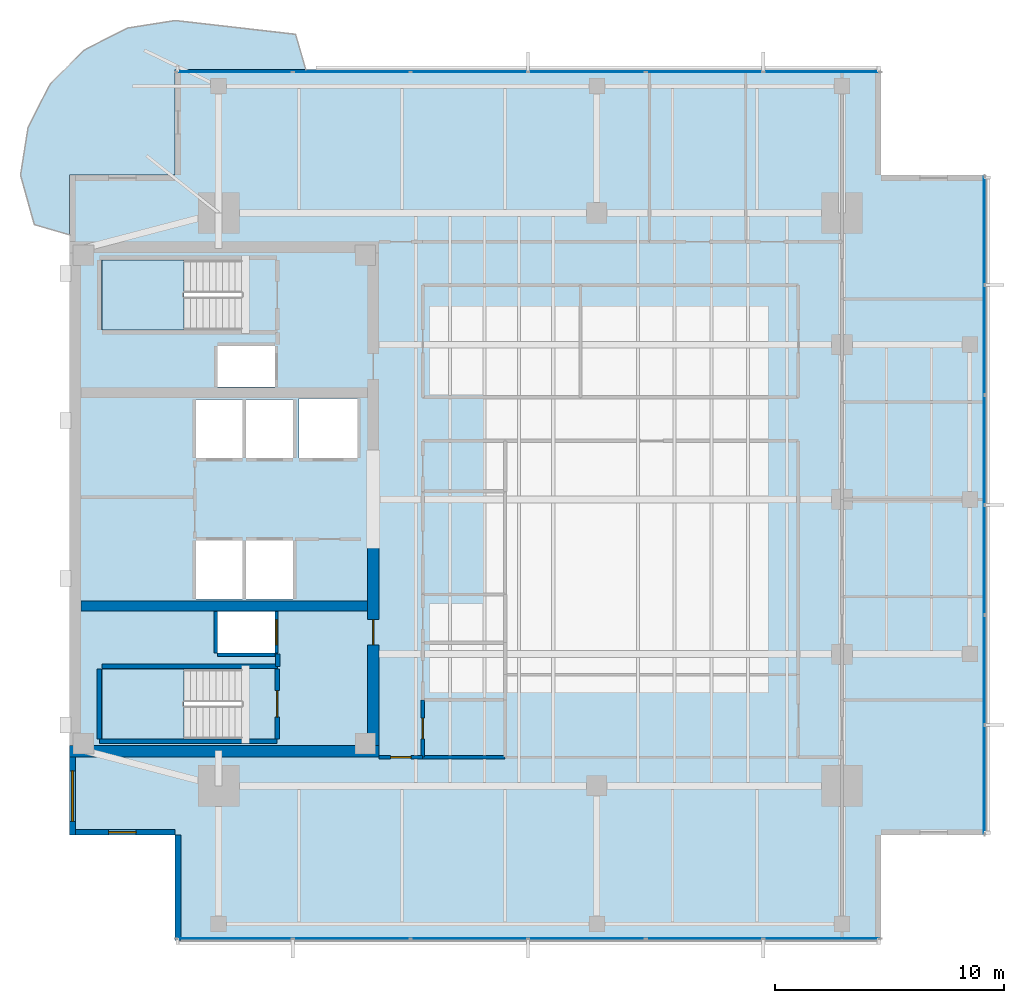
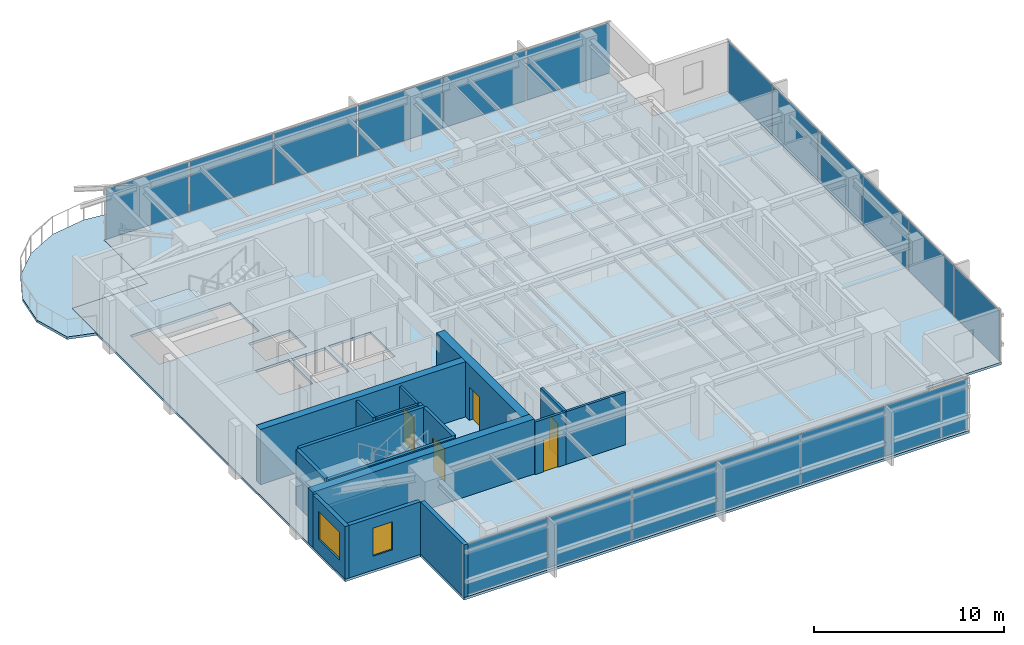
# One storey, part 7 of 14: 18 plates, 17 walls, 5 doors, 4 slabs, 2 windows, 7 openings, 5 elements without a shape of their own.
"""IFC4 building model written with IfcOpenShell, lengths in metres."""

from ifc_helpers import new_model, si_unit, direction, frame, frame_2d, origin, origin_2d, place, context, subcontext, project, spatial, polyline, rectangle, outline, extrude, material, layer, layer_set, type_object, element, fill, aggregate, save


model = new_model("IFC4")

# Units and contexts
model_context = context("Model", 3, precision=1e-05, world=origin(), true_north=direction((0.0, 1.0)))
body_context = subcontext(model_context, "Body", "Model", "MODEL_VIEW")
ifc_project = project(units=[si_unit("LENGTHUNIT", "METRE"), si_unit("AREAUNIT", "SQUARE_METRE"), si_unit("VOLUMEUNIT", "CUBIC_METRE"), si_unit("PLANEANGLEUNIT", "RADIAN"), si_unit("MASSUNIT", "GRAM", prefix="KILO")], contexts=[model_context])

# Site, building, storey
site_placement = place(None, origin())
site = spatial("IfcSite", under=ifc_project, at=site_placement, CompositionType="ELEMENT")
building_placement = place(site_placement, origin())
building = spatial("IfcBuilding", under=site, at=building_placement, Name="Kinhvarn Gate Tower", CompositionType="ELEMENT")
storey_placement = place(building_placement, frame((0.0, 0.0, 284.75)))
storey = spatial("IfcBuildingStorey", under=building, at=storey_placement, Name="L76", CompositionType="ELEMENT", Elevation=284.75)

# Curtain wall, plates
ifc_material_1 = material(Name="Anodised aluminium AW-6063", Category="aluminium")
ifc_layer_1 = layer(ifc_material_1, 0.179931640625)
ifc_layer_set_1 = layer_set([ifc_layer_1], Name="Anodised aluminium AW-6063")
curtain_wall_type = type_object("IfcCurtainWallType", Name="CW-SYS-3", PredefinedType="NOTDEFINED", material=ifc_layer_set_1)
curtain_wall_1_placement = place(storey_placement, origin())
curtain_wall_1 = element("IfcCurtainWall", 1, at=curtain_wall_1_placement, inside=storey, type_object=curtain_wall_type, Name="Curtain Wall CW3 (L76)", PredefinedType="NOTDEFINED")
ifc_material_2 = material(Name="Clear low-e double glazing", Category="glass")
ifc_layer_2 = layer(ifc_material_2, 0.031982421875)
ifc_layer_set_2 = layer_set([ifc_layer_2], Name="Clear low-e double glazing")
plate_type = type_object("IfcPlateType", Name="CW-PNL-VIS", PredefinedType="CURTAIN_PANEL", material=ifc_layer_set_2)
plate_1_placement = place(storey_placement, frame((11.682861328125, 6.090087890625, 0.070068359375), z_axis=(0.0, 0.0, 1.0), x_axis=(1.0, 0.0, 0.0)))
plate_1 = element("IfcPlate", 2, at=plate_1_placement, type_object=plate_type, Name="CW3 panel 1.1", PredefinedType="CURTAIN_PANEL", context=body_context, shape_type="SweptSolid", body=[
    extrude(rectangle(XDim=5.035888671875, YDim=0.031982421875, at=origin_2d()), origin(), (0.0, 0.0, 1.0), 3.25),
])
plate_2_placement = place(storey_placement, frame((16.800048828125, 6.090087890625, 0.070068359375), z_axis=(0.0, 0.0, 1.0), x_axis=(1.0, 0.0, 0.0)))
plate_2 = element("IfcPlate", 3, at=plate_2_placement, type_object=plate_type, Name="CW3 panel 2.1", PredefinedType="CURTAIN_PANEL", context=body_context, shape_type="SweptSolid", body=[
    extrude(rectangle(XDim=5.068359375, YDim=0.031982421875, at=origin_2d()), origin(), (0.0, 0.0, 1.0), 3.25),
])
plate_3_placement = place(storey_placement, frame((21.933349609375, 6.090087890625, 0.070068359375), z_axis=(0.0, 0.0, 1.0), x_axis=(1.0, 0.0, 0.0)))
plate_3 = element("IfcPlate", 4, at=plate_3_placement, type_object=plate_type, Name="CW3 panel 3.1", PredefinedType="CURTAIN_PANEL", context=body_context, shape_type="SweptSolid", body=[
    extrude(rectangle(XDim=5.068359375, YDim=0.031982421875, at=origin_2d()), origin(), (0.0, 0.0, 1.0), 3.25),
])
plate_4_placement = place(storey_placement, frame((27.066650390625, 6.090087890625, 0.070068359375), z_axis=(0.0, 0.0, 1.0), x_axis=(1.0, 0.0, 0.0)))
plate_4 = element("IfcPlate", 5, at=plate_4_placement, type_object=plate_type, Name="CW3 panel 4.1", PredefinedType="CURTAIN_PANEL", context=body_context, shape_type="SweptSolid", body=[
    extrude(rectangle(XDim=5.068359375, YDim=0.031982421875, at=origin_2d()), origin(), (0.0, 0.0, 1.0), 3.25),
])
plate_5_placement = place(storey_placement, frame((32.199951171875, 6.090087890625, 0.070068359375), z_axis=(0.0, 0.0, 1.0), x_axis=(1.0, 0.0, 0.0)))
plate_5 = element("IfcPlate", 6, at=plate_5_placement, type_object=plate_type, Name="CW3 panel 5.1", PredefinedType="CURTAIN_PANEL", context=body_context, shape_type="SweptSolid", body=[
    extrude(rectangle(XDim=5.068359375, YDim=0.031982421875, at=origin_2d()), origin(), (0.0, 0.0, 1.0), 3.25),
])
plate_6_placement = place(storey_placement, frame((37.317138671875, 6.090087890625, 0.070068359375), z_axis=(0.0, 0.0, 1.0), x_axis=(1.0, 0.0, 0.0)))
plate_6 = element("IfcPlate", 7, at=plate_6_placement, type_object=plate_type, Name="CW3 panel 6.1", PredefinedType="CURTAIN_PANEL", context=body_context, shape_type="SweptSolid", body=[
    extrude(rectangle(XDim=5.035888671875, YDim=0.031982421875, at=origin_2d()), origin(), (0.0, 0.0, 1.0), 3.25),
])
aggregate(curtain_wall_1, [plate_1, plate_2, plate_3, plate_4, plate_5, plate_6])

curtain_wall_2_placement = place(storey_placement, origin())
curtain_wall_2 = element("IfcCurtainWall", 8, at=curtain_wall_2_placement, inside=storey, type_object=curtain_wall_type, Name="Curtain Wall CW3 (L76)", PredefinedType="NOTDEFINED")
plate_7_placement = place(storey_placement, frame((37.317138671875, 43.909912109375, 0.070068359375), z_axis=(0.0, 0.0, 1.0), x_axis=(-1.0, 0.0, 0.0)))
plate_7 = element("IfcPlate", 9, at=plate_7_placement, type_object=plate_type, Name="CW3 panel 1.1", PredefinedType="CURTAIN_PANEL", context=body_context, shape_type="SweptSolid", body=[
    extrude(rectangle(XDim=5.035888671875, YDim=0.031982421875, at=origin_2d()), origin(), (0.0, 0.0, 1.0), 3.25),
])
plate_8_placement = place(storey_placement, frame((32.199951171875, 43.909912109375, 0.070068359375), z_axis=(0.0, 0.0, 1.0), x_axis=(-1.0, 0.0, 0.0)))
plate_8 = element("IfcPlate", 10, at=plate_8_placement, type_object=plate_type, Name="CW3 panel 2.1", PredefinedType="CURTAIN_PANEL", context=body_context, shape_type="SweptSolid", body=[
    extrude(rectangle(XDim=5.068359375, YDim=0.031982421875, at=origin_2d()), origin(), (0.0, 0.0, 1.0), 3.25),
])
plate_9_placement = place(storey_placement, frame((27.066650390625, 43.909912109375, 0.070068359375), z_axis=(0.0, 0.0, 1.0), x_axis=(-1.0, 0.0, 0.0)))
plate_9 = element("IfcPlate", 11, at=plate_9_placement, type_object=plate_type, Name="CW3 panel 3.1", PredefinedType="CURTAIN_PANEL", context=body_context, shape_type="SweptSolid", body=[
    extrude(rectangle(XDim=5.068359375, YDim=0.031982421875, at=origin_2d()), origin(), (0.0, 0.0, 1.0), 3.25),
])
plate_10_placement = place(storey_placement, frame((21.933349609375, 43.909912109375, 0.070068359375), z_axis=(0.0, 0.0, 1.0), x_axis=(-1.0, 0.0, 0.0)))
plate_10 = element("IfcPlate", 12, at=plate_10_placement, type_object=plate_type, Name="CW3 panel 4.1", PredefinedType="CURTAIN_PANEL", context=body_context, shape_type="SweptSolid", body=[
    extrude(rectangle(XDim=5.068359375, YDim=0.031982421875, at=origin_2d()), origin(), (0.0, 0.0, 1.0), 3.25),
])
plate_11_placement = place(storey_placement, frame((16.800048828125, 43.909912109375, 0.070068359375), z_axis=(0.0, 0.0, 1.0), x_axis=(-1.0, 0.0, 0.0)))
plate_11 = element("IfcPlate", 13, at=plate_11_placement, type_object=plate_type, Name="CW3 panel 5.1", PredefinedType="CURTAIN_PANEL", context=body_context, shape_type="SweptSolid", body=[
    extrude(rectangle(XDim=5.068359375, YDim=0.031982421875, at=origin_2d()), origin(), (0.0, 0.0, 1.0), 3.25),
])
plate_12_placement = place(storey_placement, frame((11.682861328125, 43.909912109375, 0.070068359375), z_axis=(0.0, 0.0, 1.0), x_axis=(-1.0, 0.0, 0.0)))
plate_12 = element("IfcPlate", 14, at=plate_12_placement, type_object=plate_type, Name="CW3 panel 6.1", PredefinedType="CURTAIN_PANEL", context=body_context, shape_type="SweptSolid", body=[
    extrude(rectangle(XDim=5.035888671875, YDim=0.031982421875, at=origin_2d()), origin(), (0.0, 0.0, 1.0), 3.25),
])
aggregate(curtain_wall_2, [plate_7, plate_8, plate_9, plate_10, plate_11, plate_12])

curtain_wall_3_placement = place(storey_placement, origin())
curtain_wall_3 = element("IfcCurtainWall", 15, at=curtain_wall_3_placement, inside=storey, type_object=curtain_wall_type, Name="Curtain Wall CW3 (L76)", PredefinedType="NOTDEFINED")
plate_13_placement = place(storey_placement, frame((44.409912109375, 13.016357421875, 0.070068359375), z_axis=(0.0, 0.0, 1.0), x_axis=(0.0, 1.0, 0.0)))
plate_13 = element("IfcPlate", 16, at=plate_13_placement, type_object=plate_type, Name="CW3 panel 1.1", PredefinedType="CURTAIN_PANEL", context=body_context, shape_type="SweptSolid", body=[
    extrude(rectangle(XDim=4.702392578125, YDim=0.031982421875, at=origin_2d()), origin(), (0.0, 0.0, 1.0), 3.25),
])
plate_14_placement = place(storey_placement, frame((44.409912109375, 17.800048828125, 0.070068359375), z_axis=(0.0, 0.0, 1.0), x_axis=(0.0, 1.0, 0.0)))
plate_14 = element("IfcPlate", 17, at=plate_14_placement, type_object=plate_type, Name="CW3 panel 2.1", PredefinedType="CURTAIN_PANEL", context=body_context, shape_type="SweptSolid", body=[
    extrude(rectangle(XDim=4.735107421875, YDim=0.031982421875, at=origin_2d()), origin(), (0.0, 0.0, 1.0), 3.25),
])
plate_15_placement = place(storey_placement, frame((44.409912109375, 22.60009765625, 0.070068359375), z_axis=(0.0, 0.0, 1.0), x_axis=(0.0, 1.0, 0.0)))
plate_15 = element("IfcPlate", 18, at=plate_15_placement, type_object=plate_type, Name="CW3 panel 3.1", PredefinedType="CURTAIN_PANEL", context=body_context, shape_type="SweptSolid", body=[
    extrude(rectangle(XDim=4.735107421875, YDim=0.031982421875, at=origin_2d()), origin(), (0.0, 0.0, 1.0), 3.25),
])
plate_16_placement = place(storey_placement, frame((44.409912109375, 27.39990234375, 0.070068359375), z_axis=(0.0, 0.0, 1.0), x_axis=(0.0, 1.0, 0.0)))
plate_16 = element("IfcPlate", 19, at=plate_16_placement, type_object=plate_type, Name="CW3 panel 4.1", PredefinedType="CURTAIN_PANEL", context=body_context, shape_type="SweptSolid", body=[
    extrude(rectangle(XDim=4.735107421875, YDim=0.031982421875, at=origin_2d()), origin(), (0.0, 0.0, 1.0), 3.25),
])
plate_17_placement = place(storey_placement, frame((44.409912109375, 32.199951171875, 0.070068359375), z_axis=(0.0, 0.0, 1.0), x_axis=(0.0, 1.0, 0.0)))
plate_17 = element("IfcPlate", 20, at=plate_17_placement, type_object=plate_type, Name="CW3 panel 5.1", PredefinedType="CURTAIN_PANEL", context=body_context, shape_type="SweptSolid", body=[
    extrude(rectangle(XDim=4.735107421875, YDim=0.031982421875, at=origin_2d()), origin(), (0.0, 0.0, 1.0), 3.25),
])
plate_18_placement = place(storey_placement, frame((44.409912109375, 36.983642578125, 0.070068359375), z_axis=(0.0, 0.0, 1.0), x_axis=(0.0, 1.0, 0.0)))
plate_18 = element("IfcPlate", 21, at=plate_18_placement, type_object=plate_type, Name="CW3 panel 6.1", PredefinedType="CURTAIN_PANEL", context=body_context, shape_type="SweptSolid", body=[
    extrude(rectangle(XDim=4.702392578125, YDim=0.031982421875, at=origin_2d()), origin(), (0.0, 0.0, 1.0), 3.25),
])
aggregate(curtain_wall_3, [plate_13, plate_14, plate_15, plate_16, plate_17, plate_18])

# Slabs
ifc_material_3 = material(Name="Precast white architectural concrete C40/50", Category="concrete")
ifc_layer_3 = layer(ifc_material_3, 0.159912109375)
ifc_layer_set_3 = layer_set([ifc_layer_3], Name="Precast white architectural concrete C40/50")
slab_type_1 = type_object("IfcSlabType", Name="SLB-BAL-160", PredefinedType="FLOOR", material=ifc_layer_set_3)
slab_1_placement = place(storey_placement, frame((0.0, 0.0, -0.159912109375)))
element("IfcSlab", 22, at=slab_1_placement, inside=storey, type_object=slab_type_1, Name="S-Carve Curved Terrace Balcony Slab L76 (NW)", PredefinedType="FLOOR", context=body_context, shape_type="SweptSolid", body=[
    extrude(outline(polyline([(14.802978515625, 44.0), (14.35302734375, 45.545166015625), (9.10009765625, 46.14599609375), (7.015380859375, 45.81591796875), (5.134765625, 44.857666015625), (3.642333984375, 43.365234375), (2.68408203125, 41.484619140625), (2.35400390625, 39.39990234375), (2.954833984375, 37.242919921875), (4.5, 36.79296875), (4.5, 39.39990234375), (9.10009765625, 39.39990234375), (9.10009765625, 44.0), (14.802978515625, 44.0)])), origin(), (0.0, 0.0, 1.0), 0.159912109375),
])
ifc_material_4 = material(Name="Concrete C40/50", Category="concrete")
ifc_layer_4 = layer(ifc_material_4, 0.159912109375)
ifc_layer_set_4 = layer_set([ifc_layer_4], Name="Concrete C40/50")
slab_type_2 = type_object("IfcSlabType", Name="SLB-FLR-160", PredefinedType="FLOOR", material=ifc_layer_set_4)
slab_2_placement = place(storey_placement, frame((0.0, 0.0, -0.159912109375)))
element("IfcSlab", 23, at=slab_2_placement, inside=storey, type_object=slab_type_2, Name="Suspended Floor Slab L76", PredefinedType="FLOOR", context=body_context, shape_type="SweptSolid", body=[
    extrude(outline(polyline([(9.10009765625, 6.0), (39.89990234375, 6.0), (39.89990234375, 10.60009765625), (44.5, 10.60009765625), (44.5, 39.39990234375), (39.89990234375, 39.39990234375), (39.89990234375, 44.0), (9.10009765625, 44.0), (9.10009765625, 39.39990234375), (4.5, 39.39990234375), (4.5, 10.60009765625), (9.10009765625, 10.60009765625), (9.10009765625, 6.0)]), holes=[polyline([(5.89990234375, 14.800048828125), (12.0, 14.800048828125), (12.0, 17.85009765625), (5.89990234375, 17.85009765625), (5.89990234375, 14.800048828125)]), polyline([(5.89990234375, 32.64990234375), (12.0, 32.64990234375), (12.0, 35.699951171875), (5.89990234375, 35.699951171875), (5.89990234375, 32.64990234375)]), polyline([(10.0, 20.89990234375), (12.050048828125, 20.89990234375), (12.050048828125, 23.449951171875), (10.0, 23.449951171875), (10.0, 20.89990234375)]), polyline([(12.199951171875, 20.89990234375), (14.25, 20.89990234375), (14.25, 23.449951171875), (12.199951171875, 23.449951171875), (12.199951171875, 20.89990234375)]), polyline([(10.0, 27.050048828125), (12.050048828125, 27.050048828125), (12.050048828125, 29.60009765625), (10.0, 29.60009765625), (10.0, 27.050048828125)]), polyline([(12.199951171875, 27.050048828125), (14.25, 27.050048828125), (14.25, 29.60009765625), (12.199951171875, 29.60009765625), (12.199951171875, 27.050048828125)]), polyline([(14.5, 27.050048828125), (17.050048828125, 27.050048828125), (17.050048828125, 29.64990234375), (14.5, 29.64990234375), (14.5, 27.050048828125)]), polyline([(10.949951171875, 18.550048828125), (13.449951171875, 18.550048828125), (13.449951171875, 20.35009765625), (10.949951171875, 20.35009765625), (10.949951171875, 18.550048828125)]), polyline([(10.949951171875, 30.14990234375), (13.449951171875, 30.14990234375), (13.449951171875, 31.949951171875), (10.949951171875, 31.949951171875), (10.949951171875, 30.14990234375)])]), origin(), (0.0, 0.0, 1.0), 0.159912109375),
])

# Stair, slab
stair_type = type_object("IfcStairType", Name="STR-DLG-178", PredefinedType="HALF_TURN_STAIR", material=ifc_material_4)
stair_1_placement = place(storey_placement, origin())
stair_1 = element("IfcStair", 24, at=stair_1_placement, inside=storey, type_object=stair_type, Name="L76 Core Smokeproof Exit Stair ST1", PredefinedType="HALF_TURN_STAIR")
ifc_layer_5 = layer(ifc_material_4, 0.199951171875)
ifc_layer_set_5 = layer_set([ifc_layer_5], Name="Concrete C40/50")
slab_type_3 = type_object("IfcSlabType", Name="SLB-ST-LND", PredefinedType="LANDING", material=ifc_layer_set_5)
slab_3_placement = place(storey_placement, frame((0.0, 0.0, 1.574951171875)))
slab_3 = element("IfcSlab", 25, at=slab_3_placement, type_object=slab_type_3, Name="ST1 landing 1", PredefinedType="LANDING", context=body_context, shape_type="SweptSolid", body=[
    extrude(outline(polyline([(9.47998046875, 17.85009765625), (5.89990234375, 17.85009765625), (5.89990234375, 14.800048828125), (9.47998046875, 14.800048828125), (9.47998046875, 17.85009765625)])), origin(), (0.0, 0.0, 1.0), 0.199951171875),
])
aggregate(stair_1, [slab_3])

stair_2_placement = place(storey_placement, origin())
stair_2 = element("IfcStair", 26, at=stair_2_placement, inside=storey, type_object=stair_type, Name="L76 Core Smokeproof Exit Stair ST2", PredefinedType="HALF_TURN_STAIR")
slab_4_placement = place(storey_placement, frame((0.0, 0.0, 1.574951171875)))
slab_4 = element("IfcSlab", 27, at=slab_4_placement, type_object=slab_type_3, Name="ST2 landing 1", PredefinedType="LANDING", context=body_context, shape_type="SweptSolid", body=[
    extrude(outline(polyline([(9.47998046875, 35.699951171875), (5.89990234375, 35.699951171875), (5.89990234375, 32.64990234375), (9.47998046875, 32.64990234375), (9.47998046875, 35.699951171875)])), origin(), (0.0, 0.0, 1.0), 0.199951171875),
])
aggregate(stair_2, [slab_4])

# Walls
ifc_material_5 = material(Name="Concrete C50/60", Category="concrete")
ifc_layer_6 = layer(ifc_material_5, 0.449951171875)
ifc_layer_set_6 = layer_set([ifc_layer_6], Name="Concrete C50/60")
wall_type_1 = type_object("IfcWallType", Name="WL-CORE-450", PredefinedType="SHEAR", material=ifc_layer_set_6)
wall_1_placement = place(storey_placement, frame((5.0, 20.60009765625, 0.0), z_axis=(0.0, 0.0, 1.0), x_axis=(1.0, 0.0, 0.0)))
element("IfcWall", 28, at=wall_1_placement, inside=storey, type_object=wall_type_1, Name="Core South Spine Shear Wall L76 450 mm", PredefinedType="SHEAR", context=body_context, shape_type="SweptSolid", body=[
    extrude(rectangle(XDim=12.5, YDim=0.449951171875, at=frame_2d((6.25, 0.0))), origin(), (0.0, 0.0, 1.0), 3.550048828125),
])
ifc_layer_7 = layer(ifc_material_5, 0.5)
ifc_layer_set_7 = layer_set([ifc_layer_7], Name="Concrete C50/60")
wall_type_2 = type_object("IfcWallType", Name="WL-CORE-500", PredefinedType="SHEAR", material=ifc_layer_set_7)
wall_2_placement = place(storey_placement, frame((4.5, 14.25, 0.0), z_axis=(0.0, 0.0, 1.0), x_axis=(1.0, 0.0, 0.0)))
element("IfcWall", 29, at=wall_2_placement, inside=storey, type_object=wall_type_2, Name="Core South Shear Wall L76 500 mm", PredefinedType="SHEAR", context=body_context, shape_type="SweptSolid", body=[
    extrude(rectangle(XDim=13.5, YDim=0.5, at=frame_2d((6.75, 0.0))), origin(), (0.0, 0.0, 1.0), 3.550048828125),
])

# Wall, opening, door
wall_3_placement = place(storey_placement, frame((17.75, 14.5, 0.0), z_axis=(0.0, 0.0, 1.0), x_axis=(0.0, 1.0, 0.0)))
wall_3 = element("IfcWall", 30, at=wall_3_placement, inside=storey, type_object=wall_type_2, Name="Core East-South Shear Pier L76 500 mm", PredefinedType="SHEAR", context=body_context, shape_type="SweptSolid", body=[
    extrude(rectangle(XDim=8.949951171875, YDim=0.5, at=frame_2d((4.47509765625, 0.0))), origin(), (0.0, 0.0, 1.0), 3.550048828125),
])
opening_1_placement = place(wall_3_placement, frame((4.39990234375, 0.0, 0.0)))
opening_1 = element("IfcOpeningElement", 31, at=opening_1_placement, cuts=wall_3, Name="Opening FD-02", PredefinedType="OPENING", context=body_context, shape_type="SweptSolid", body=[
    extrude(rectangle(XDim=1.10009765625, YDim=2.14990234375, at=frame_2d((0.550048828125, 1.074951171875))), frame((0.0, 0.260009765625, 0.0), z_axis=(0.0, -1.0, 0.0), x_axis=(1.0, 0.0, 0.0)), (0.0, 0.0, 1.0), 0.52001953125),
])
door_type_1 = type_object("IfcDoorType", Name="DR-FD-1100", OperationType="NOTDEFINED", PredefinedType="DOOR", material=ifc_material_1)
door_1_placement = place(opening_1_placement, origin())
door_1 = element("IfcDoor", 32, at=door_1_placement, inside=storey, type_object=door_type_1, Name="Firefighting Lobby Core Door (L76)", OperationType="SINGLE_SWING_RIGHT", OverallHeight=2.14990234375, OverallWidth=1.10009765625, PredefinedType="DOOR", context=body_context, shape_type="SweptSolid", body=[
    extrude(rectangle(XDim=1.10009765625, YDim=2.14990234375, at=frame_2d((0.550048828125, 1.074951171875))), frame((0.0, 0.02490234375, 0.0), z_axis=(0.0, -1.0, 0.0), x_axis=(1.0, 0.0, 0.0)), (0.0, 0.0, 1.0), 0.050048828125),
])
fill(opening_1, door_1)

# Wall, opening, window
ifc_material_6 = material(Name="Fired architectural terracotta", Category="masonry")
ifc_layer_8 = layer(ifc_material_6, 0.25)
ifc_layer_set_8 = layer_set([ifc_layer_8], Name="Fired architectural terracotta")
wall_type_3 = type_object("IfcWallType", Name="WL-EXT-250", PredefinedType="SOLIDWALL", material=ifc_layer_set_8)
wall_4_placement = place(storey_placement, frame((4.625, 14.0, 0.0), z_axis=(0.0, 0.0, 1.0), x_axis=(0.0, -1.0, 0.0)))
wall_4 = element("IfcWall", 33, at=wall_4_placement, inside=storey, type_object=wall_type_3, Name="Exterior Solidwall Wall EW-250 (L76 West-South)", PredefinedType="SOLIDWALL", context=body_context, shape_type="SweptSolid", body=[
    extrude(rectangle(XDim=3.39990234375, YDim=0.25, at=frame_2d((1.699951171875, 0.0))), origin(), (0.0, 0.0, 1.0), 3.389892578125),
])
opening_2_placement = place(wall_4_placement, frame((0.60009765625, 0.0, 0.89990234375)))
opening_2 = element("IfcOpeningElement", 34, at=opening_2_placement, cuts=wall_4, Name="Opening WN-01", PredefinedType="OPENING", context=body_context, shape_type="SweptSolid", body=[
    extrude(rectangle(XDim=2.199951171875, YDim=1.800048828125, at=frame_2d((1.10009765625, 0.89990234375))), frame((0.0, 0.135009765625, 0.0), z_axis=(0.0, -1.0, 0.0), x_axis=(1.0, 0.0, 0.0)), (0.0, 0.0, 1.0), 0.27001953125),
])
window_type_1 = type_object("IfcWindowType", Name="WIN-RIB-2200", PartitioningType="SINGLE_PANEL", PredefinedType="WINDOW", material=ifc_material_2)
window_1_placement = place(opening_2_placement, origin())
window_1 = element("IfcWindow", 35, at=window_1_placement, inside=storey, type_object=window_type_1, Name="West Flank Double-Glazed Ribbon Window 2200x1800 mm (L76)", OverallHeight=1.800048828125, OverallWidth=2.199951171875, PartitioningType="SINGLE_PANEL", PredefinedType="WINDOW", context=body_context, shape_type="SweptSolid", body=[
    extrude(rectangle(XDim=2.199951171875, YDim=1.800048828125, at=frame_2d((1.10009765625, 0.89990234375))), frame((0.0, 0.030029296875, 0.0), z_axis=(0.0, -1.0, 0.0), x_axis=(1.0, 0.0, 0.0)), (0.0, 0.0, 1.0), 0.06005859375),
])
fill(opening_2, window_1)

wall_5_placement = place(storey_placement, frame((4.5, 10.72509765625, 0.0), z_axis=(0.0, 0.0, 1.0), x_axis=(1.0, 0.0, 0.0)))
wall_5 = element("IfcWall", 36, at=wall_5_placement, inside=storey, type_object=wall_type_3, Name="Exterior Solidwall Wall EW-250 (L76 SW-Notch-1)", PredefinedType="SOLIDWALL", context=body_context, shape_type="SweptSolid", body=[
    extrude(rectangle(XDim=4.60009765625, YDim=0.25, at=frame_2d((2.300048828125, 0.0))), origin(), (0.0, 0.0, 1.0), 3.389892578125),
])
opening_3_placement = place(wall_5_placement, frame((1.699951171875, 0.0, 0.89990234375)))
opening_3 = element("IfcOpeningElement", 37, at=opening_3_placement, cuts=wall_5, Name="Opening WN-02", PredefinedType="OPENING", context=body_context, shape_type="SweptSolid", body=[
    extrude(rectangle(XDim=1.199951171875, YDim=1.800048828125, at=frame_2d((0.60009765625, 0.89990234375))), frame((0.0, 0.135009765625, 0.0), z_axis=(0.0, -1.0, 0.0), x_axis=(1.0, 0.0, 0.0)), (0.0, 0.0, 1.0), 0.27001953125),
])
window_type_2 = type_object("IfcWindowType", Name="WIN-NTC-1200", PartitioningType="SINGLE_PANEL", PredefinedType="WINDOW", material=ifc_material_2)
window_2_placement = place(opening_3_placement, origin())
window_2 = element("IfcWindow", 38, at=window_2_placement, inside=storey, type_object=window_type_2, Name="Recessed Corner Notch Punched Window 1200x1800 mm (L76)", OverallHeight=1.800048828125, OverallWidth=1.199951171875, PartitioningType="SINGLE_PANEL", PredefinedType="WINDOW", context=body_context, shape_type="SweptSolid", body=[
    extrude(rectangle(XDim=1.199951171875, YDim=1.800048828125, at=frame_2d((0.60009765625, 0.89990234375))), frame((0.0, 0.030029296875, 0.0), z_axis=(0.0, -1.0, 0.0), x_axis=(1.0, 0.0, 0.0)), (0.0, 0.0, 1.0), 0.06005859375),
])
fill(opening_3, window_2)

# Walls
wall_6_placement = place(storey_placement, frame((9.22509765625, 10.60009765625, 0.0), z_axis=(0.0, 0.0, 1.0), x_axis=(0.0, -1.0, 0.0)))
element("IfcWall", 39, at=wall_6_placement, inside=storey, type_object=wall_type_3, Name="Exterior Solidwall Wall EW-250 (L76 SW-Notch-2)", PredefinedType="SOLIDWALL", context=body_context, shape_type="SweptSolid", body=[
    extrude(rectangle(XDim=4.60009765625, YDim=0.25, at=frame_2d((2.300048828125, 0.0))), origin(), (0.0, 0.0, 1.0), 3.389892578125),
])
ifc_material_7 = material(Name="Gypsum acoustic partition board")
ifc_layer_9 = layer(ifc_material_7, 0.14990234375)
ifc_layer_set_9 = layer_set([ifc_layer_9], Name="Gypsum acoustic partition board")
wall_type_4 = type_object("IfcWallType", Name="WL-PLM-150", PredefinedType="PLUMBINGWALL", material=ifc_layer_set_9)
wall_7_placement = place(storey_placement, frame((19.89990234375, 14.0, 0.0), z_axis=(0.0, 0.0, 1.0), x_axis=(1.0, 0.0, 0.0)))
element("IfcWall", 40, at=wall_7_placement, inside=storey, type_object=wall_type_4, Name="Interior Partition PLW-150 (L76)", PredefinedType="PLUMBINGWALL", context=body_context, shape_type="SweptSolid", body=[
    extrude(rectangle(XDim=3.60009765625, YDim=0.14990234375, at=frame_2d((1.800048828125, 0.0))), origin(), (0.0, 0.0, 1.0), 3.389892578125),
])

# Wall, opening, door
ifc_layer_10 = layer(ifc_material_7, 0.14990234375)
ifc_layer_set_10 = layer_set([ifc_layer_10], Name="Gypsum acoustic partition board")
wall_type_5 = type_object("IfcWallType", Name="WL-PLM-150F", PredefinedType="PLUMBINGWALL", material=ifc_layer_set_10)
wall_8_placement = place(storey_placement, frame((19.89990234375, 14.0, 0.0), z_axis=(0.0, 0.0, 1.0), x_axis=(0.0, 1.0, 0.0)))
wall_8 = element("IfcWall", 41, at=wall_8_placement, inside=storey, type_object=wall_type_5, Name="Interior Partition PLW-150F (L76)", PredefinedType="PLUMBINGWALL", context=body_context, shape_type="SweptSolid", body=[
    extrude(rectangle(XDim=2.5, YDim=0.14990234375, at=frame_2d((1.25, 0.0))), origin(), (0.0, 0.0, 1.0), 3.389892578125),
])
opening_4_placement = place(wall_8_placement, frame((0.800048828125, 0.0, 0.0)))
opening_4 = element("IfcOpeningElement", 42, at=opening_4_placement, cuts=wall_8, Name="Opening FD-04", PredefinedType="OPENING", context=body_context, shape_type="SweptSolid", body=[
    extrude(rectangle(XDim=0.89990234375, YDim=2.10009765625, at=frame_2d((0.449951171875, 1.050048828125))), frame((0.0, 0.0849609375, 0.0), z_axis=(0.0, -1.0, 0.0), x_axis=(1.0, 0.0, 0.0)), (0.0, 0.0, 1.0), 0.169921875),
])
door_type_2 = type_object("IfcDoorType", Name="DR-FD-900", OperationType="NOTDEFINED", PredefinedType="DOOR", material=ifc_material_1)
door_2_placement = place(opening_4_placement, origin())
door_2 = element("IfcDoor", 43, at=door_2_placement, inside=storey, type_object=door_type_2, Name="Rated Riser & Service Closet Fire Door 900x2100 mm (L76)", OperationType="SINGLE_SWING_RIGHT", OverallHeight=2.10009765625, OverallWidth=0.89990234375, PredefinedType="DOOR", context=body_context, shape_type="SweptSolid", body=[
    extrude(rectangle(XDim=0.89990234375, YDim=2.10009765625, at=frame_2d((0.449951171875, 1.050048828125))), frame((0.0, 0.02490234375, 0.0), z_axis=(0.0, -1.0, 0.0), x_axis=(1.0, 0.0, 0.0)), (0.0, 0.0, 1.0), 0.050048828125),
])
fill(opening_4, door_2)

ifc_layer_11 = layer(ifc_material_7, 0.14990234375)
ifc_layer_set_11 = layer_set([ifc_layer_11], Name="Gypsum acoustic partition board")
wall_type_6 = type_object("IfcWallType", Name="WL-PRT-150F", PredefinedType="PARTITIONING", material=ifc_layer_set_11)
wall_9_placement = place(storey_placement, frame((18.0, 14.0, 0.0), z_axis=(0.0, 0.0, 1.0), x_axis=(1.0, 0.0, 0.0)))
wall_9 = element("IfcWall", 44, at=wall_9_placement, inside=storey, type_object=wall_type_6, Name="Interior Partition PW-150F (L76)", PredefinedType="PARTITIONING", context=body_context, shape_type="SweptSolid", body=[
    extrude(rectangle(XDim=1.89990234375, YDim=0.14990234375, at=frame_2d((0.949951171875, 0.0))), origin(), (0.0, 0.0, 1.0), 3.389892578125),
])
opening_5_placement = place(wall_9_placement, frame((0.5, 0.0, 0.0)))
opening_5 = element("IfcOpeningElement", 45, at=opening_5_placement, cuts=wall_9, Name="Opening ID-03", PredefinedType="OPENING", context=body_context, shape_type="SweptSolid", body=[
    extrude(rectangle(XDim=0.89990234375, YDim=2.10009765625, at=frame_2d((0.449951171875, 1.050048828125))), frame((0.0, 0.0849609375, 0.0), z_axis=(0.0, -1.0, 0.0), x_axis=(1.0, 0.0, 0.0)), (0.0, 0.0, 1.0), 0.169921875),
])
door_type_3 = type_object("IfcDoorType", Name="DR-INT-900", OperationType="NOTDEFINED", PredefinedType="DOOR", material=ifc_material_1)
door_3_placement = place(opening_5_placement, origin())
door_3 = element("IfcDoor", 46, at=door_3_placement, inside=storey, type_object=door_type_3, Name="Cellular Office & Restroom Door 900x2100 mm (L76)", OperationType="SINGLE_SWING_LEFT", OverallHeight=2.10009765625, OverallWidth=0.89990234375, PredefinedType="DOOR", context=body_context, shape_type="SweptSolid", body=[
    extrude(rectangle(XDim=0.89990234375, YDim=2.10009765625, at=frame_2d((0.449951171875, 1.050048828125))), frame((0.0, 0.02490234375, 0.0), z_axis=(0.0, -1.0, 0.0), x_axis=(1.0, 0.0, 0.0)), (0.0, 0.0, 1.0), 0.050048828125),
])
fill(opening_5, door_3)

# Walls
ifc_layer_12 = layer(ifc_material_7, 0.199951171875)
ifc_layer_set_12 = layer_set([ifc_layer_12], Name="Gypsum acoustic partition board")
wall_type_7 = type_object("IfcWallType", Name="WL-PRT-200", PredefinedType="PARTITIONING", material=ifc_layer_set_12)
wall_10_placement = place(storey_placement, frame((13.580078125, 17.9599609375, 0.0), z_axis=(0.0, 0.0, 1.0), x_axis=(0.0, 1.0, 0.0)))
element("IfcWall", 47, at=wall_10_placement, inside=storey, type_object=wall_type_7, Name="Interior Partition PW-200 (L76)", PredefinedType="PARTITIONING", context=body_context, shape_type="SweptSolid", body=[
    extrude(rectangle(XDim=0.5400390625, YDim=0.199951171875, at=frame_2d((0.27001953125, 0.0))), origin(), (0.0, 0.0, 1.0), 3.389892578125),
])
ifc_layer_13 = layer(ifc_material_7, 0.14990234375)
ifc_layer_set_13 = layer_set([ifc_layer_13], Name="Gypsum acoustic partition board")
wall_type_8 = type_object("IfcWallType", Name="WL-SHF-150", PredefinedType="PARTITIONING", material=ifc_layer_set_13)
wall_11_placement = place(storey_placement, frame((10.949951171875, 18.47509765625, 0.0), z_axis=(0.0, 0.0, 1.0), x_axis=(1.0, 0.0, 0.0)))
element("IfcWall", 48, at=wall_11_placement, inside=storey, type_object=wall_type_8, Name="Elevator FF1 Hoistway Wall S (L76)", PredefinedType="PARTITIONING", context=body_context, shape_type="SweptSolid", body=[
    extrude(rectangle(XDim=2.5, YDim=0.14990234375, at=frame_2d((1.25, 0.0))), origin(), (0.0, 0.0, 1.0), 3.389892578125),
])
wall_12_placement = place(storey_placement, frame((10.875, 18.550048828125, 0.0), z_axis=(0.0, 0.0, 1.0), x_axis=(0.0, 1.0, 0.0)))
element("IfcWall", 49, at=wall_12_placement, inside=storey, type_object=wall_type_8, Name="Elevator FF1 Hoistway Wall W (L76)", PredefinedType="PARTITIONING", context=body_context, shape_type="SweptSolid", body=[
    extrude(rectangle(XDim=1.800048828125, YDim=0.14990234375, at=frame_2d((0.89990234375, 0.0))), origin(), (0.0, 0.0, 1.0), 3.389892578125),
])

# Wall, opening, door
wall_13_placement = place(storey_placement, frame((13.52490234375, 18.550048828125, 0.0), z_axis=(0.0, 0.0, 1.0), x_axis=(0.0, 1.0, 0.0)))
wall_13 = element("IfcWall", 50, at=wall_13_placement, inside=storey, type_object=wall_type_8, Name="Elevator FF1 Landing Wall (L76)", PredefinedType="PARTITIONING", context=body_context, shape_type="SweptSolid", body=[
    extrude(rectangle(XDim=1.800048828125, YDim=0.14990234375, at=frame_2d((0.89990234375, 0.0))), origin(), (0.0, 0.0, 1.0), 3.389892578125),
])
opening_6_placement = place(wall_13_placement, frame((0.35009765625, 0.0, 0.0)))
opening_6 = element("IfcOpeningElement", 51, at=opening_6_placement, cuts=wall_13, Name="Opening LD-03", PredefinedType="OPENING", context=body_context, shape_type="SweptSolid", body=[
    extrude(rectangle(XDim=1.10009765625, YDim=2.199951171875, at=frame_2d((0.550048828125, 1.10009765625))), frame((0.0, 0.0849609375, 0.0), z_axis=(0.0, -1.0, 0.0), x_axis=(1.0, 0.0, 0.0)), (0.0, 0.0, 1.0), 0.169921875),
])
door_type_4 = type_object("IfcDoorType", Name="DR-LND-FF", OperationType="NOTDEFINED", PredefinedType="DOOR", material=ifc_material_1)
door_4_placement = place(opening_6_placement, origin())
door_4 = element("IfcDoor", 52, at=door_4_placement, inside=storey, type_object=door_type_4, Name="Elevator FF1 Sliding Landing Door (L76)", OperationType="DOUBLE_DOOR_SLIDING", OverallHeight=2.199951171875, OverallWidth=1.10009765625, PredefinedType="DOOR", context=body_context, shape_type="SweptSolid", body=[
    extrude(rectangle(XDim=1.10009765625, YDim=2.199951171875, at=frame_2d((0.550048828125, 1.10009765625))), frame((0.0, 0.02490234375, 0.0), z_axis=(0.0, -1.0, 0.0), x_axis=(1.0, 0.0, 0.0)), (0.0, 0.0, 1.0), 0.050048828125),
])
fill(opening_6, door_4)

# Walls
ifc_layer_14 = layer(ifc_material_4, 0.199951171875)
ifc_layer_set_14 = layer_set([ifc_layer_14], Name="Concrete C40/50")
wall_type_9 = type_object("IfcWallType", Name="WL-SHF-200", PredefinedType="SOLIDWALL", material=ifc_layer_set_14)
wall_14_placement = place(storey_placement, frame((5.800048828125, 14.699951171875, 0.0), z_axis=(0.0, 0.0, 1.0), x_axis=(1.0, 0.0, 0.0)))
element("IfcWall", 53, at=wall_14_placement, inside=storey, type_object=wall_type_9, Name="Stair ST1 South Shaft Wall (L76)", PredefinedType="SOLIDWALL", context=body_context, shape_type="SweptSolid", body=[
    extrude(rectangle(XDim=7.75, YDim=0.199951171875, at=frame_2d((3.875, 0.0))), origin(), (0.0, 0.0, 1.0), 3.550048828125),
])
wall_15_placement = place(storey_placement, frame((5.7900390625, 14.800048828125, 0.0), z_axis=(0.0, 0.0, 1.0), x_axis=(0.0, 1.0, 0.0)))
element("IfcWall", 54, at=wall_15_placement, inside=storey, type_object=wall_type_9, Name="Stair ST1 West Shaft Wall (L76)", PredefinedType="SOLIDWALL", context=body_context, shape_type="SweptSolid", body=[
    extrude(rectangle(XDim=3.050048828125, YDim=0.199951171875, at=frame_2d((1.52490234375, 0.0))), origin(), (0.0, 0.0, 1.0), 3.550048828125),
])
wall_16_placement = place(storey_placement, frame((5.89990234375, 17.9599609375, 0.0), z_axis=(0.0, 0.0, 1.0), x_axis=(1.0, 0.0, 0.0)))
element("IfcWall", 55, at=wall_16_placement, inside=storey, type_object=wall_type_9, Name="Stair ST1 North Shaft Wall (L76)", PredefinedType="SOLIDWALL", context=body_context, shape_type="SweptSolid", body=[
    extrude(rectangle(XDim=7.66015625, YDim=0.199951171875, at=frame_2d((3.830078125, 0.0))), origin(), (0.0, 0.0, 1.0), 3.550048828125),
])

# Wall, opening, door
wall_17_placement = place(storey_placement, frame((13.56005859375, 14.800048828125, 0.0), z_axis=(0.0, 0.0, 1.0), x_axis=(0.0, 1.0, 0.0)))
wall_17 = element("IfcWall", 56, at=wall_17_placement, inside=storey, type_object=wall_type_9, Name="Stair ST1 East Entry Wall (L76)", PredefinedType="SOLIDWALL", context=body_context, shape_type="SweptSolid", body=[
    extrude(rectangle(XDim=3.050048828125, YDim=0.199951171875, at=frame_2d((1.52490234375, 0.0))), origin(), (0.0, 0.0, 1.0), 3.550048828125),
])
opening_7_placement = place(wall_17_placement, frame((0.949951171875, 0.0, 0.0)))
opening_7 = element("IfcOpeningElement", 57, at=opening_7_placement, cuts=wall_17, Name="Opening FD-01", PredefinedType="OPENING", context=body_context, shape_type="SweptSolid", body=[
    extrude(rectangle(XDim=1.14990234375, YDim=2.14990234375, at=frame_2d((0.574951171875, 1.074951171875))), frame((0.0, 0.10986328125, 0.0), z_axis=(0.0, -1.0, 0.0), x_axis=(1.0, 0.0, 0.0)), (0.0, 0.0, 1.0), 0.219970703125),
])
door_type_5 = type_object("IfcDoorType", Name="DR-ST-1150", OperationType="NOTDEFINED", PredefinedType="DOOR", material=ifc_material_1)
door_5_placement = place(opening_7_placement, origin())
door_5 = element("IfcDoor", 58, at=door_5_placement, inside=storey, type_object=door_type_5, Name="Exit Stair ST1 Fire Door (L76)", OperationType="SINGLE_SWING_RIGHT", OverallHeight=2.14990234375, OverallWidth=1.14990234375, PredefinedType="DOOR", context=body_context, shape_type="SweptSolid", body=[
    extrude(rectangle(XDim=1.14990234375, YDim=2.14990234375, at=frame_2d((0.574951171875, 1.074951171875))), frame((0.0, 0.02490234375, 0.0), z_axis=(0.0, -1.0, 0.0), x_axis=(1.0, 0.0, 0.0)), (0.0, 0.0, 1.0), 0.050048828125),
])
fill(opening_7, door_5)

save(model, "model.ifc")
